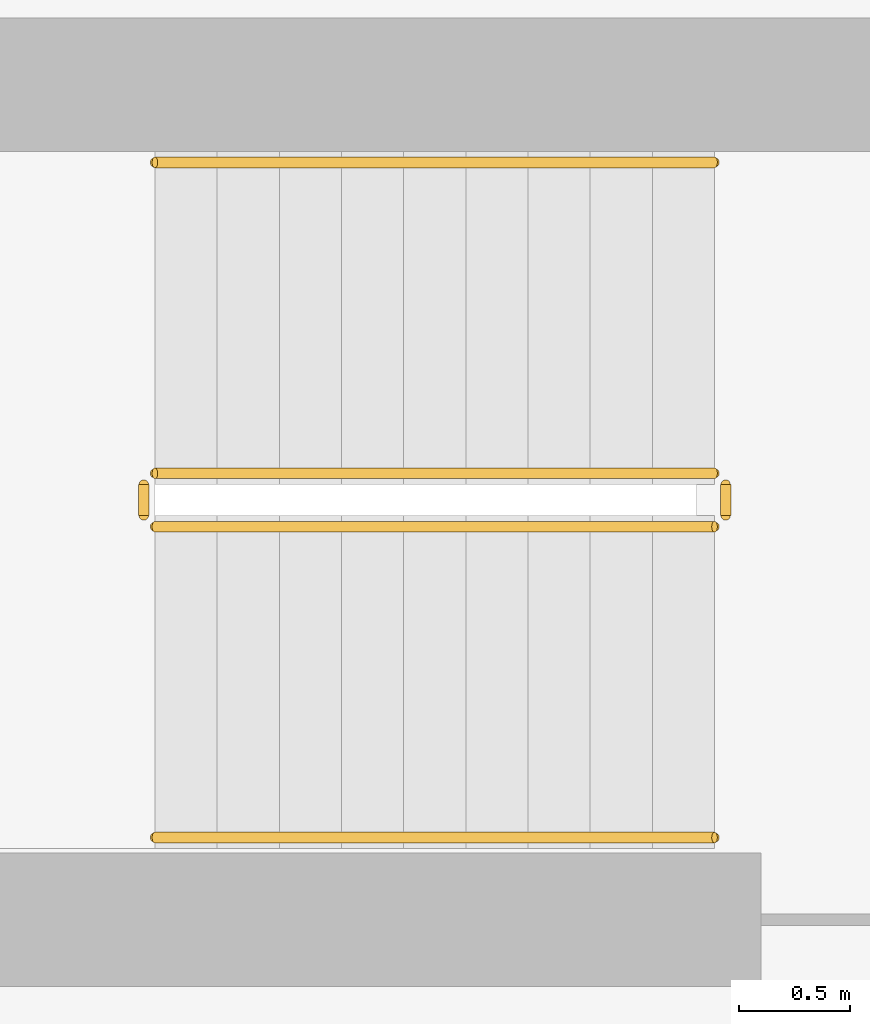
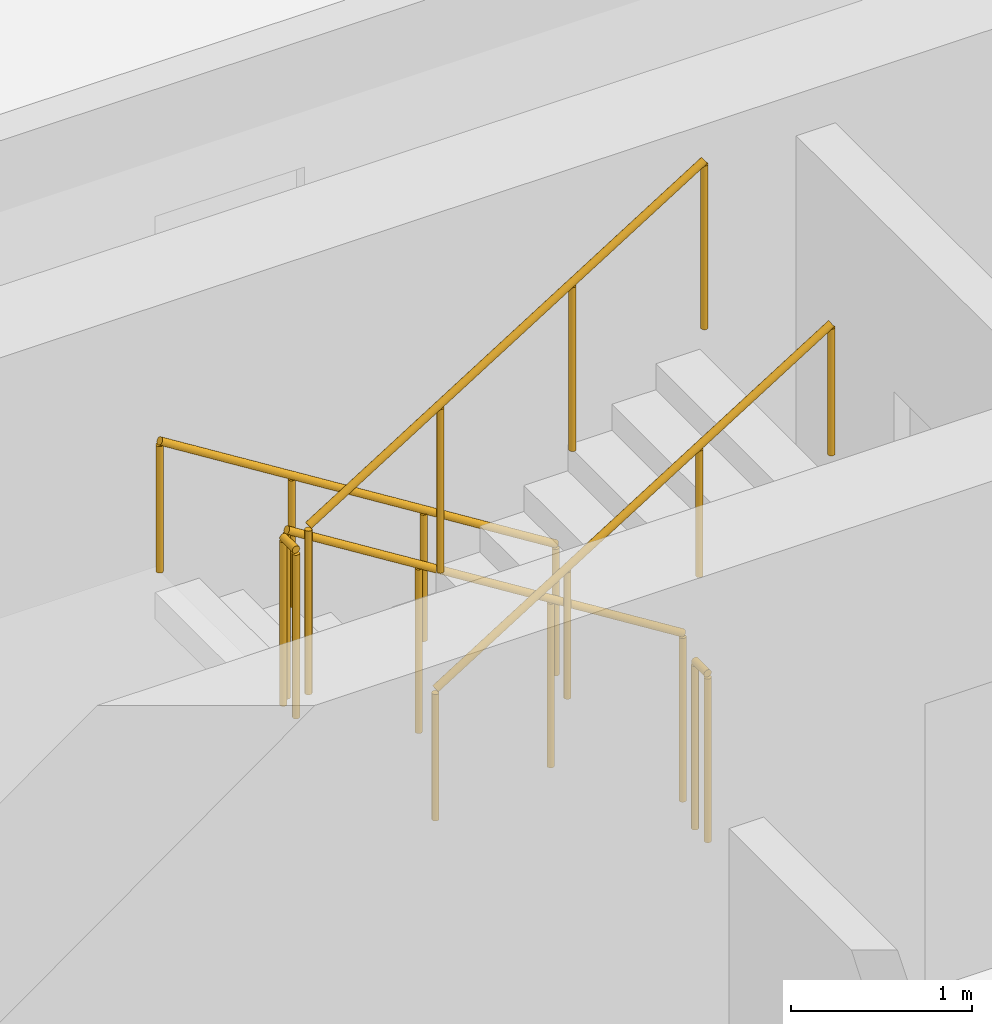
# One storey, part 20 of 22: 6 railings.
"""IFC4 building model written with IfcOpenShell, lengths in metres."""

from ifc_helpers import new_model, si_unit, derived_unit, direction, frame, origin, origin_2d, place, context, subcontext, project, spatial, circle, extrude, material, type_object, element, save


model = new_model("IFC4")

# Units and contexts
model_context = context("Model", 3, precision=1e-05, world=origin(), true_north=direction((0.0, 1.0)))
body_context = subcontext(model_context, "Body", "Model", "MODEL_VIEW")
ifc_project = project(units=[si_unit("LENGTHUNIT", "METRE"), si_unit("AREAUNIT", "SQUARE_METRE"), si_unit("VOLUMEUNIT", "CUBIC_METRE"), si_unit("PLANEANGLEUNIT", "RADIAN"), si_unit("MASSUNIT", "GRAM", prefix="KILO"), derived_unit("THERMALTRANSMITTANCEUNIT", [(si_unit("POWERUNIT", "WATT"), 1), (si_unit("LENGTHUNIT", "METRE"), -2), (si_unit("THERMODYNAMICTEMPERATUREUNIT", "KELVIN"), -1)])], contexts=[model_context])

# Site, building, storey
site_placement = place(None, origin())
site = spatial("IfcSite", under=ifc_project, at=site_placement, CompositionType="ELEMENT")
building_placement = place(site_placement, origin())
building = spatial("IfcBuilding", under=site, at=building_placement, Name="Kivonza Crest Hotel", CompositionType="ELEMENT")
storey_placement = place(building_placement, frame((0.0, 0.0, 48.5)))
storey = spatial("IfcBuildingStorey", under=building, at=storey_placement, Name="L12", CompositionType="ELEMENT", Elevation=48.5)

# Railings
ifc_material_1 = material(Name="Brushed stainless steel handrail", Category="steel")
railing_type_1 = type_object("IfcRailingType", Name="RL-HAND-900", PredefinedType="HANDRAIL", material=ifc_material_1)
railing_1_placement = place(storey_placement, frame((12.239990234375, 36.110107421875, 0.175048828125)))
element("IfcRailing", 1, at=railing_1_placement, inside=storey, type_object=railing_type_1, Name="L12 ST-T1-N stair handrail 1", PredefinedType="HANDRAIL", context=body_context, shape_type="SweptSolid", body=[
    extrude(circle(Radius=0.02392578125, at=origin_2d()), frame((0.0, 0.0, 0.8759765625), z_axis=(-0.848007534815, 0.0, 0.529984170421), x_axis=(0.0, -1.0, 0.0)), (0.0, 0.0, 1.0), 2.9716796875),
    extrude(circle(Radius=0.02099609375, at=origin_2d()), origin(), (0.0, 0.0, 1.0), 0.851806640625),
    extrude(circle(Radius=0.02099609375, at=origin_2d()), frame((-0.840087890625, 0.0, 0.52490234375)), (0.0, 0.0, 1.0), 0.851806640625),
    extrude(circle(Radius=0.02099609375, at=origin_2d()), frame((-1.679931640625, 0.0, 1.050048828125)), (0.0, 0.0, 1.0), 0.851806640625),
    extrude(circle(Radius=0.02099609375, at=origin_2d()), frame((-2.52001953125, 0.0, 1.574951171875)), (0.0, 0.0, 1.0), 0.851806640625),
])
railing_2_placement = place(storey_placement, frame((9.719970703125, 33.070068359375, 1.925048828125)))
element("IfcRailing", 2, at=railing_2_placement, inside=storey, type_object=railing_type_1, Name="L12 ST-T1-N stair handrail 2", PredefinedType="HANDRAIL", context=body_context, shape_type="SweptSolid", body=[
    extrude(circle(Radius=0.02392578125, at=origin_2d()), frame((0.0, 0.0, 0.8759765625), z_axis=(0.848007534815, 0.0, 0.529984170421), x_axis=(0.0, 1.0, 0.0)), (0.0, 0.0, 1.0), 2.9716796875),
    extrude(circle(Radius=0.02099609375, at=origin_2d()), origin(), (0.0, 0.0, 1.0), 0.851806640625),
    extrude(circle(Radius=0.02099609375, at=origin_2d()), frame((0.840087890625, 0.0, 0.52490234375)), (0.0, 0.0, 1.0), 0.851806640625),
    extrude(circle(Radius=0.02099609375, at=origin_2d()), frame((1.679931640625, 0.0, 1.050048828125)), (0.0, 0.0, 1.0), 0.851806640625),
    extrude(circle(Radius=0.02099609375, at=origin_2d()), frame((2.52001953125, 0.0, 1.574951171875)), (0.0, 0.0, 1.0), 0.851806640625),
])
ifc_material_2 = material(Name="Painted steel balustrade", Category="steel")
railing_type_2 = type_object("IfcRailingType", Name="RL-STAIR-1150", PredefinedType="BALUSTRADE", material=ifc_material_2)
railing_3_placement = place(storey_placement, frame((12.239990234375, 34.7099609375, 0.175048828125)))
element("IfcRailing", 3, at=railing_3_placement, inside=storey, type_object=railing_type_2, Name="L12 ST-T1-N stair guard 1", PredefinedType="BALUSTRADE", context=body_context, shape_type="SweptSolid", body=[
    extrude(circle(Radius=0.02392578125, at=origin_2d()), frame((0.0, 0.0, 1.1259765625), z_axis=(-0.848007534815, 0.0, 0.529984170421), x_axis=(0.0, -1.0, 0.0)), (0.0, 0.0, 1.0), 2.9716796875),
    extrude(circle(Radius=0.02099609375, at=origin_2d()), origin(), (0.0, 0.0, 1.0), 1.101806640625),
    extrude(circle(Radius=0.02099609375, at=origin_2d()), frame((-0.840087890625, 0.0, 0.52490234375)), (0.0, 0.0, 1.0), 1.101806640625),
    extrude(circle(Radius=0.02099609375, at=origin_2d()), frame((-1.679931640625, 0.0, 1.050048828125)), (0.0, 0.0, 1.0), 1.101806640625),
    extrude(circle(Radius=0.02099609375, at=origin_2d()), frame((-2.52001953125, 0.0, 1.574951171875)), (0.0, 0.0, 1.0), 1.101806640625),
])
railing_4_placement = place(storey_placement, frame((9.669921875, 34.659912109375, 1.75)))
element("IfcRailing", 4, at=railing_4_placement, inside=storey, type_object=railing_type_2, Name="L12 ST-T1-N stair guard 2", PredefinedType="BALUSTRADE", context=body_context, shape_type="SweptSolid", body=[
    extrude(circle(Radius=0.02392578125, at=origin_2d()), frame((0.0, 0.0, 1.1259765625), z_axis=(0.0, -1.0, 0.0), x_axis=(1.0, 0.0, 0.0)), (0.0, 0.0, 1.0), 0.139892578125),
    extrude(circle(Radius=0.02099609375, at=origin_2d()), origin(), (0.0, 0.0, 1.0), 1.101806640625),
    extrude(circle(Radius=0.02099609375, at=origin_2d()), frame((0.0, -0.139892578125, 0.0)), (0.0, 0.0, 1.0), 1.101806640625),
])
railing_5_placement = place(storey_placement, frame((9.719970703125, 34.469970703125, 1.925048828125)))
element("IfcRailing", 5, at=railing_5_placement, inside=storey, type_object=railing_type_2, Name="L12 ST-T1-N stair guard 3", PredefinedType="BALUSTRADE", context=body_context, shape_type="SweptSolid", body=[
    extrude(circle(Radius=0.02392578125, at=origin_2d()), frame((0.0, 0.0, 1.1259765625), z_axis=(0.848007534815, 0.0, 0.529984170421), x_axis=(0.0, 1.0, 0.0)), (0.0, 0.0, 1.0), 2.9716796875),
    extrude(circle(Radius=0.02099609375, at=origin_2d()), origin(), (0.0, 0.0, 1.0), 1.101806640625),
    extrude(circle(Radius=0.02099609375, at=origin_2d()), frame((0.840087890625, 0.0, 0.52490234375)), (0.0, 0.0, 1.0), 1.101806640625),
    extrude(circle(Radius=0.02099609375, at=origin_2d()), frame((1.679931640625, 0.0, 1.050048828125)), (0.0, 0.0, 1.0), 1.101806640625),
    extrude(circle(Radius=0.02099609375, at=origin_2d()), frame((2.52001953125, 0.0, 1.574951171875)), (0.0, 0.0, 1.0), 1.101806640625),
])
railing_6_placement = place(storey_placement, frame((12.2900390625, 34.659912109375, 0.0)))
element("IfcRailing", 6, at=railing_6_placement, inside=storey, type_object=railing_type_2, Name="L12 ST-T1-N stair guard 4", PredefinedType="BALUSTRADE", context=body_context, shape_type="SweptSolid", body=[
    extrude(circle(Radius=0.02392578125, at=origin_2d()), frame((0.0, 0.0, 1.1259765625), z_axis=(0.0, -1.0, 0.0), x_axis=(1.0, 0.0, 0.0)), (0.0, 0.0, 1.0), 0.139892578125),
    extrude(circle(Radius=0.02099609375, at=origin_2d()), origin(), (0.0, 0.0, 1.0), 1.101806640625),
    extrude(circle(Radius=0.02099609375, at=origin_2d()), frame((0.0, -0.139892578125, 0.0)), (0.0, 0.0, 1.0), 1.101806640625),
])

save(model, "model.ifc")
